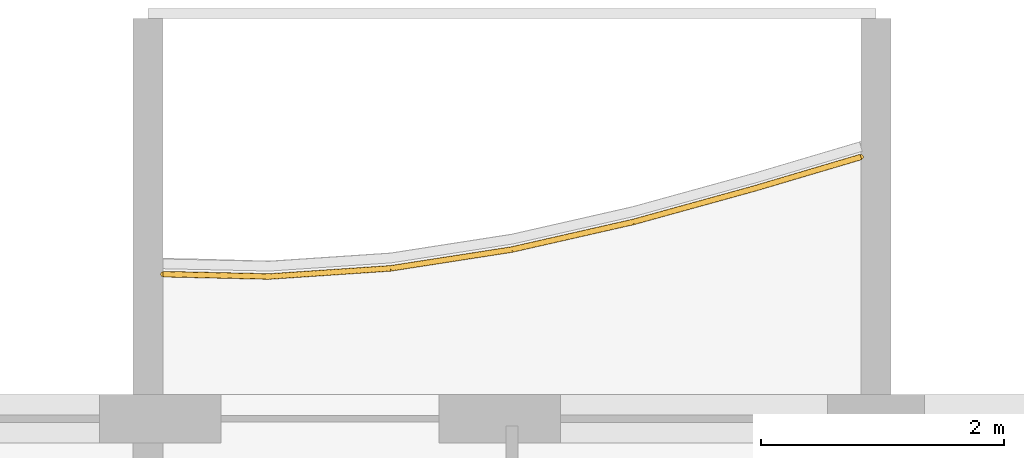
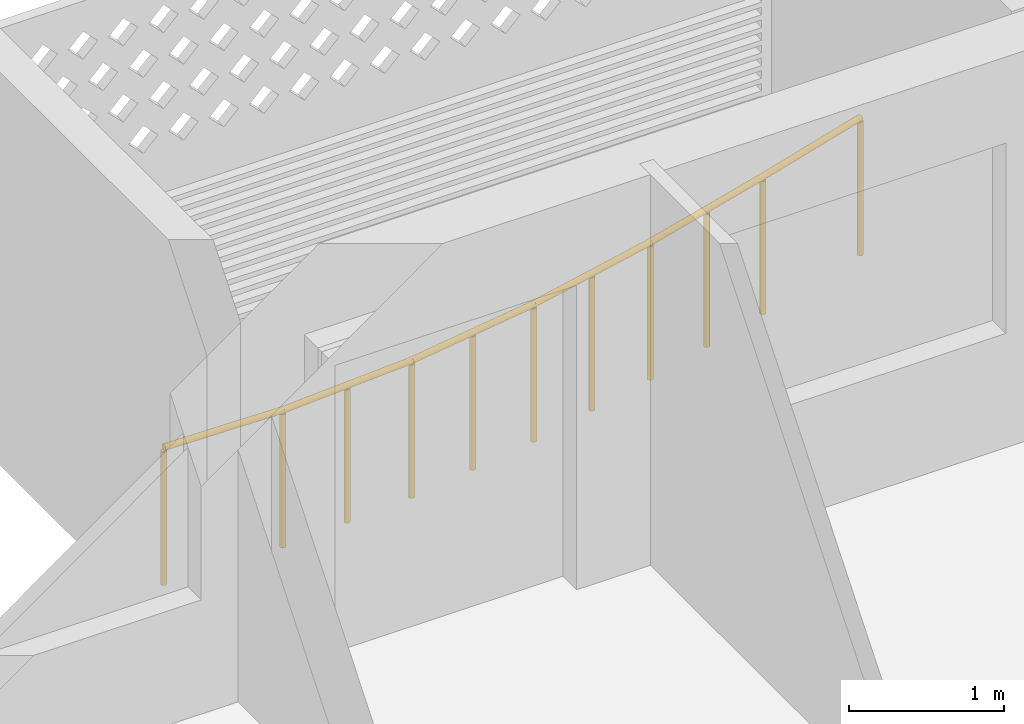
# One storey, part 19 of 28: 1 railing.
"""IFC4 building model written with IfcOpenShell, lengths in metres."""

from ifc_helpers import new_model, si_unit, direction, frame, origin, origin_2d, place, context, subcontext, project, spatial, circle, extrude, material, type_object, element, save


model = new_model("IFC4")

# Units and contexts
model_context = context("Model", 3, precision=1e-05, world=origin(), true_north=direction((0.0, 1.0)))
body_context = subcontext(model_context, "Body", "Model", "MODEL_VIEW")
ifc_project = project(units=[si_unit("LENGTHUNIT", "METRE"), si_unit("AREAUNIT", "SQUARE_METRE"), si_unit("VOLUMEUNIT", "CUBIC_METRE"), si_unit("PLANEANGLEUNIT", "RADIAN"), si_unit("MASSUNIT", "GRAM", prefix="KILO")], contexts=[model_context])

# Site, building, storey
site_placement = place(None, origin())
site = spatial("IfcSite", under=ifc_project, at=site_placement, CompositionType="ELEMENT")
building_placement = place(site_placement, origin())
building = spatial("IfcBuilding", under=site, at=building_placement, Name="Poui Terraces", CompositionType="ELEMENT")
storey_placement = place(building_placement, frame((0.0, 0.0, 185.10009765625)))
storey = spatial("IfcBuildingStorey", under=building, at=storey_placement, Name="L51", CompositionType="ELEMENT", Elevation=185.10009765625)

# Railing
ifc_material = material(Name="Painted steel fretwork", Category="steel")
railing_type = type_object("IfcRailingType", Name="BALCONY GUARD 1100", PredefinedType="GUARDRAIL", material=ifc_material)
railing_placement = place(storey_placement, frame((42.125, 42.391357421875, 0.0)))
element("IfcRailing", 1, at=railing_placement, inside=storey, type_object=railing_type, Name="BALCONY GUARD", PredefinedType="GUARDRAIL", context=body_context, shape_type="SweptSolid", body=[
    extrude(circle(Radius=0.02392578125, at=origin_2d()), frame((0.0, 0.0, 1.076171875), z_axis=(0.999757154554, -0.022037057815, 0.0), x_axis=(0.022037057815, 0.999757154554, 0.0)), (0.0, 0.0, 1.0), 0.875244140625),
    extrude(circle(Radius=0.02392578125, at=origin_2d()), frame((0.875, -0.019287109375, 1.076171875), z_axis=(0.997753790287, 0.066987864338, 0.0), x_axis=(-0.066987864338, 0.997753790287, 0.0)), (0.0, 0.0, 1.0), 1.002197265625),
    extrude(circle(Radius=0.02392578125, at=origin_2d()), frame((1.875, 0.0478515625, 1.076171875), z_axis=(0.9881587723, 0.153434809371, 0.0), x_axis=(-0.153434809371, 0.9881587723, 0.0)), (0.0, 0.0, 1.0), 1.011962890625),
    extrude(circle(Radius=0.02392578125, at=origin_2d()), frame((2.875, 0.203125, 1.076171875), z_axis=(0.975128178395, 0.221641683127, 0.0), x_axis=(-0.221641683127, 0.975128178395, 0.0)), (0.0, 0.0, 1.0), 1.025390625),
    extrude(circle(Radius=0.02392578125, at=origin_2d()), frame((3.875, 0.430419921875, 1.076171875), z_axis=(0.963928100541, 0.26616276409, 0.0), x_axis=(-0.26616276409, 0.963928100541, 0.0)), (0.0, 0.0, 1.0), 1.037353515625),
    extrude(circle(Radius=0.02392578125, at=origin_2d()), frame((4.875, 0.70654296875, 1.076171875), z_axis=(0.958865561228, 0.283860591647, 0.0), x_axis=(-0.283860591647, 0.958865561228, 0.0)), (0.0, 0.0, 1.0), 0.91259765625),
    extrude(circle(Radius=0.02099609375, at=origin_2d()), origin(), (0.0, 0.0, 1.0), 1.052001953125),
    extrude(circle(Radius=0.02099609375, at=origin_2d()), frame((0.875, -0.019287109375, 0.0)), (0.0, 0.0, 1.0), 1.052001953125),
    extrude(circle(Radius=0.02099609375, at=origin_2d()), frame((1.375, 0.01416015625, 0.0)), (0.0, 0.0, 1.0), 1.052001953125),
    extrude(circle(Radius=0.02099609375, at=origin_2d()), frame((1.875, 0.0478515625, 0.0)), (0.0, 0.0, 1.0), 1.052001953125),
    extrude(circle(Radius=0.02099609375, at=origin_2d()), frame((2.375, 0.12548828125, 0.0)), (0.0, 0.0, 1.0), 1.052001953125),
    extrude(circle(Radius=0.02099609375, at=origin_2d()), frame((2.875, 0.203125, 0.0)), (0.0, 0.0, 1.0), 1.052001953125),
    extrude(circle(Radius=0.02099609375, at=origin_2d()), frame((3.375, 0.31689453125, 0.0)), (0.0, 0.0, 1.0), 1.052001953125),
    extrude(circle(Radius=0.02099609375, at=origin_2d()), frame((3.875, 0.430419921875, 0.0)), (0.0, 0.0, 1.0), 1.052001953125),
    extrude(circle(Radius=0.02099609375, at=origin_2d()), frame((4.375, 0.568359375, 0.0)), (0.0, 0.0, 1.0), 1.052001953125),
    extrude(circle(Radius=0.02099609375, at=origin_2d()), frame((4.875, 0.70654296875, 0.0)), (0.0, 0.0, 1.0), 1.052001953125),
    extrude(circle(Radius=0.02099609375, at=origin_2d()), frame((5.75, 0.965576171875, 0.0)), (0.0, 0.0, 1.0), 1.052001953125),
])

save(model, "model.ifc")
